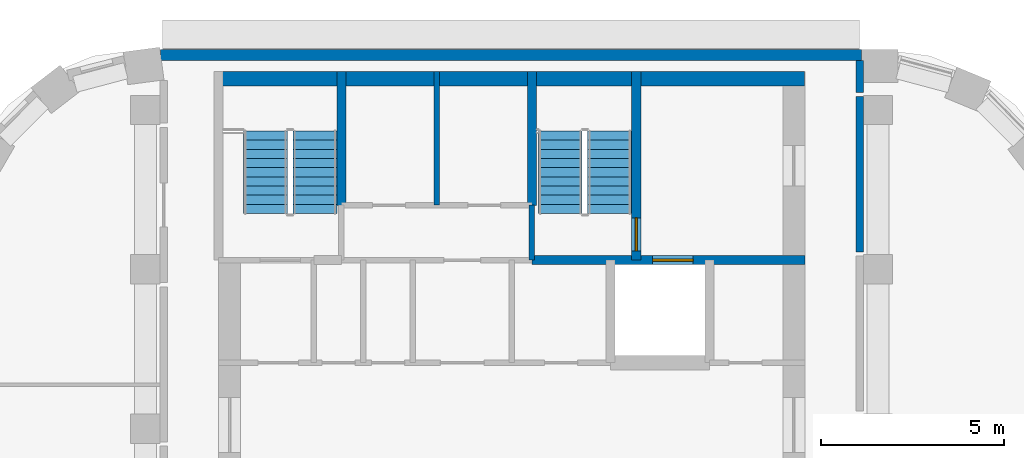
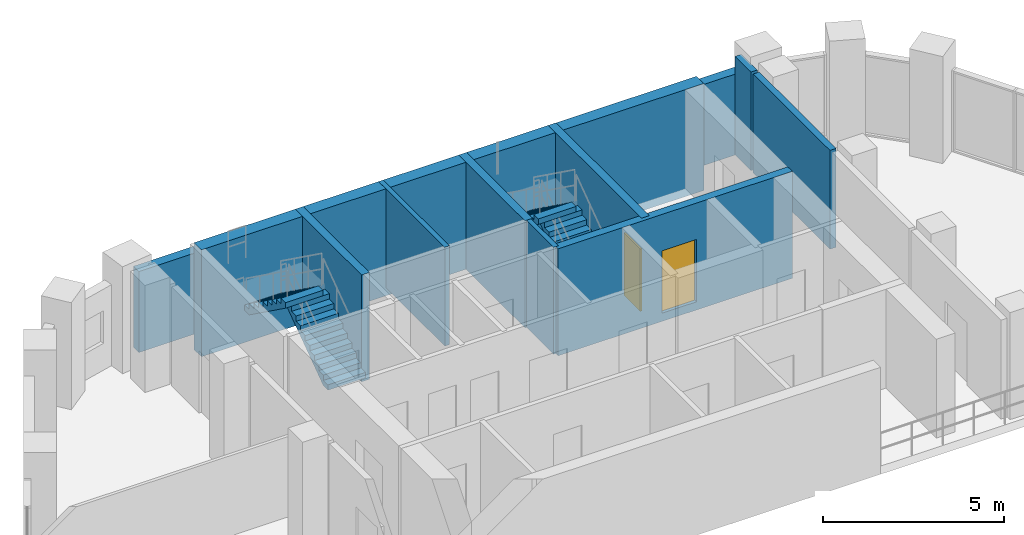
# One storey, part 11 of 13: 10 walls, 4 stair flights, 2 doors, 2 openings, 2 elements without a shape of their own.
"""IFC4 building model written with IfcOpenShell, lengths in metres."""

from ifc_helpers import new_model, si_unit, direction, frame, frame_2d, origin, place, context, subcontext, project, spatial, polyline, rectangle, outline, extrude, material, layer, layer_set, type_object, element, fill, aggregate, save


model = new_model("IFC4")

# Units and contexts
model_context = context("Model", 3, precision=1e-05, world=origin(), true_north=direction((0.0, 1.0)))
body_context = subcontext(model_context, "Body", "Model", "MODEL_VIEW")
ifc_project = project(units=[si_unit("LENGTHUNIT", "METRE"), si_unit("AREAUNIT", "SQUARE_METRE"), si_unit("VOLUMEUNIT", "CUBIC_METRE"), si_unit("PLANEANGLEUNIT", "RADIAN"), si_unit("MASSUNIT", "GRAM", prefix="KILO")], contexts=[model_context])

# Site, building, storey
site_placement = place(None, origin())
site = spatial("IfcSite", under=ifc_project, at=site_placement, CompositionType="ELEMENT")
building_placement = place(site_placement, origin())
building = spatial("IfcBuilding", under=site, at=building_placement, Name="Nakaniwa Court", CompositionType="ELEMENT")
storey_placement = place(building_placement, frame((0.0, 0.0, 286.800048828125)))
storey = spatial("IfcBuildingStorey", under=building, at=storey_placement, Name="C05", CompositionType="ELEMENT", Elevation=286.800048828125)

# Walls
ifc_material_1 = material(Name="Acoustic double stud partition")
ifc_layer_1 = layer(ifc_material_1, 0.199951171875)
ifc_layer_set_1 = layer_set([ifc_layer_1], Name="Acoustic double stud partition")
wall_type_1 = type_object("IfcWallType", Name="Acoustic double stud partition 200", PredefinedType="PARTITIONING", material=ifc_layer_set_1)
wall_1_placement = place(storey_placement, frame((89.5, 97.126953125, 0.0), z_axis=(0.0, 0.0, 1.0), x_axis=(0.0, 1.0, 0.0)))
element("IfcWall", 1, at=wall_1_placement, inside=storey, type_object=wall_type_1, Name="Partition PW-061", PredefinedType="PARTITIONING", context=body_context, shape_type="SweptSolid", body=[
    extrude(rectangle(XDim=4.236083984375, YDim=0.199951171875, at=frame_2d((2.1181640625, 0.0))), origin(), (0.0, 0.0, 1.0), 3.324951171875),
])
wall_2_placement = place(storey_placement, frame((89.5, 101.47705078125, 0.0), z_axis=(0.0, 0.0, 1.0), x_axis=(0.0, 1.0, 0.0)))
element("IfcWall", 2, at=wall_2_placement, inside=storey, type_object=wall_type_1, Name="Partition PW-062", PredefinedType="PARTITIONING", context=body_context, shape_type="SweptSolid", body=[
    extrude(rectangle(XDim=0.873046875, YDim=0.199951171875, at=frame_2d((0.4365234375, 0.0))), origin(), (0.0, 0.0, 1.0), 3.324951171875),
])
ifc_material_2 = material(Name="Charcoal ceramic cladding")
ifc_layer_2 = layer(ifc_material_2, 0.02, Name="Ceramic cladding")
ifc_material_3 = material(Name="Ventilated air cavity")
ifc_layer_3 = layer(ifc_material_3, 0.04, ventilated=True, Name="Ventilated cavity")
ifc_material_4 = material(Name="Mineral wool insulation")
ifc_layer_4 = layer(ifc_material_4, 0.1, Name="Insulation")
ifc_material_5 = material(Name="Cement bonded sheathing board")
ifc_layer_5 = layer(ifc_material_5, 0.012, Name="Sheathing")
ifc_material_6 = material(Name="Cold-formed galvanised stud frame with mineral wool infill")
ifc_layer_6 = layer(ifc_material_6, 0.1, Name="Stud frame")
ifc_material_7 = material(Name="Fire-rated gypsum plasterboard lining")
ifc_layer_7 = layer(ifc_material_7, 0.028, Name="Lining")
ifc_layer_set_2 = layer_set([ifc_layer_2, ifc_layer_3, ifc_layer_4, ifc_layer_5, ifc_layer_6, ifc_layer_7], Name="Charcoal ceramic faced external wall system")
wall_type_2 = type_object("IfcWallType", Name="Black ceramic faced external wall 300", PredefinedType="SOLIDWALL", material=ifc_layer_set_2)
wall_3_placement = place(storey_placement, frame((89.54931640625, 102.5, 0.0), z_axis=(0.0, 0.0, 1.0), x_axis=(-1.0, 0.0, 0.0)))
element("IfcWall", 3, at=wall_3_placement, inside=storey, type_object=wall_type_2, Name="C05 external wall 23", PredefinedType="SOLIDWALL", context=body_context, shape_type="SweptSolid", body=[
    extrude(rectangle(XDim=19.1337890625, YDim=0.300048828125, at=frame_2d((9.56689453125, 0.0))), origin(), (0.0, 0.0, 1.0), 2.724853515625),
])
ifc_material_8 = material(Name="Blockwork partition", Category="masonry")
ifc_layer_8 = layer(ifc_material_8, 0.14990234375)
ifc_layer_set_3 = layer_set([ifc_layer_8], Name="Blockwork partition")
wall_type_3 = type_object("IfcWallType", Name="Blockwork partition 150", PredefinedType="PARTITIONING", material=ifc_layer_set_3)
wall_4_placement = place(storey_placement, frame((77.949951171875, 98.39990234375, 0.0), z_axis=(0.0, 0.0, 1.0), x_axis=(0.0, 1.0, 0.0)))
element("IfcWall", 4, at=wall_4_placement, inside=storey, type_object=wall_type_3, Name="Partition PW-027", PredefinedType="PARTITIONING", context=body_context, shape_type="SweptSolid", body=[
    extrude(rectangle(XDim=3.650146484375, YDim=0.14990234375, at=frame_2d((1.8251953125, 0.0))), origin(), (0.0, 0.0, 1.0), 3.324951171875),
])
ifc_material_9 = material(Name="Concrete C80/100", Category="concrete")
ifc_layer_9 = layer(ifc_material_9, 0.14990234375)
ifc_layer_set_4 = layer_set([ifc_layer_9], Name="Concrete C80/100")
wall_type_4 = type_object("IfcWallType", Name="Concrete core wall 150 C80", PredefinedType="SHEAR", material=ifc_layer_set_4)
wall_5_placement = place(storey_placement, frame((80.550048828125, 96.89990234375, -0.275146484375), z_axis=(0.0, 0.0, 1.0), x_axis=(0.0, 1.0, 0.0)))
element("IfcWall", 5, at=wall_5_placement, inside=storey, type_object=wall_type_4, Name="Core wall SW-24", PredefinedType="SHEAR", context=body_context, shape_type="SweptSolid", body=[
    extrude(rectangle(XDim=1.503173828125, YDim=0.14990234375, at=frame_2d((0.75146484375, 0.0))), origin(), (0.0, 0.0, 1.0), 3.60009765625),
])
ifc_layer_10 = layer(ifc_material_9, 0.39990234375)
ifc_layer_set_5 = layer_set([ifc_layer_10], Name="Concrete C80/100")
wall_type_5 = type_object("IfcWallType", Name="Concrete core wall 400 C80", PredefinedType="SHEAR", material=ifc_layer_set_5)
wall_6_placement = place(storey_placement, frame((72.00390625, 101.85009765625, -0.275146484375), z_axis=(0.0, 0.0, 1.0), x_axis=(1.0, 0.0, 0.0)))
element("IfcWall", 6, at=wall_6_placement, inside=storey, type_object=wall_type_5, Name="Core wall SW-76", PredefinedType="SHEAR", context=body_context, shape_type="SweptSolid", body=[
    extrude(rectangle(XDim=15.9921875, YDim=0.39990234375, at=frame_2d((7.99609375, 0.0))), origin(), (0.0, 0.0, 1.0), 3.60009765625),
])

# Wall, opening, door
ifc_layer_11 = layer(ifc_material_9, 0.25)
ifc_layer_set_6 = layer_set([ifc_layer_11], Name="Concrete C80/100")
wall_type_6 = type_object("IfcWallType", Name="Concrete shaft wall 250 C80", PredefinedType="SHEAR", material=ifc_layer_set_6)
wall_7_placement = place(storey_placement, frame((80.547119140625, 96.89990234375, -0.275146484375), z_axis=(0.0, 0.0, 1.0), x_axis=(1.0, 0.0, 0.0)))
wall_7 = element("IfcWall", 7, at=wall_7_placement, inside=storey, type_object=wall_type_6, Name="Core wall SW-15", PredefinedType="SHEAR", context=body_context, shape_type="SweptSolid", body=[
    extrude(rectangle(XDim=7.452880859375, YDim=0.25, at=frame_2d((3.7265625, 0.0))), origin(), (0.0, 0.0, 1.0), 3.60009765625),
])
opening_1_placement = place(wall_7_placement, frame((3.302001953125, 0.0, 0.27490234375)))
opening_1 = element("IfcOpeningElement", 8, at=opening_1_placement, cuts=wall_7, Name="Opening LD01", PredefinedType="OPENING", context=body_context, shape_type="SweptSolid", body=[
    extrude(rectangle(XDim=1.10009765625, YDim=2.10009765625, at=frame_2d((0.550048828125, 1.050048828125))), frame((0.0, 0.135009765625, 0.0), z_axis=(0.0, -1.0, 0.0), x_axis=(1.0, 0.0, 0.0)), (0.0, 0.0, 1.0), 0.27001953125),
])
ifc_material_10 = material(Name="Stainless steel sliding lift landing door", Category="steel")
door_type_1 = type_object("IfcDoorType", Name="Lift landing door 1100", OperationType="NOTDEFINED", PredefinedType="DOOR", material=ifc_material_10)
door_1_placement = place(opening_1_placement, origin())
door_1 = element("IfcDoor", 9, at=door_1_placement, inside=storey, type_object=door_type_1, Name="Lift landing door LD01 C05-001", OperationType="SLIDING_TO_LEFT", OverallHeight=2.10009765625, OverallWidth=1.10009765625, PredefinedType="DOOR", context=body_context, shape_type="SweptSolid", body=[
    extrude(rectangle(XDim=1.10009765625, YDim=2.10009765625, at=frame_2d((0.550048828125, 1.050048828125))), frame((0.0, 0.02490234375, 0.0), z_axis=(0.0, -1.0, 0.0), x_axis=(1.0, 0.0, 0.0)), (0.0, 0.0, 1.0), 0.050048828125),
])
fill(opening_1, door_1)

# Wall
wall_8_placement = place(storey_placement, frame((75.35009765625, 98.39697265625, -0.275146484375), z_axis=(0.0, 0.0, 1.0), x_axis=(0.0, 1.0, 0.0)))
element("IfcWall", 10, at=wall_8_placement, inside=storey, type_object=wall_type_6, Name="Core wall SW-21", PredefinedType="SHEAR", context=body_context, shape_type="SweptSolid", body=[
    extrude(rectangle(XDim=3.653076171875, YDim=0.25, at=frame_2d((1.82666015625, 0.0))), origin(), (0.0, 0.0, 1.0), 3.60009765625),
])

# Wall, opening, door
wall_9_placement = place(storey_placement, frame((83.39990234375, 102.050048828125, -0.275146484375), z_axis=(0.0, 0.0, 1.0), x_axis=(0.0, -1.0, 0.0)))
wall_9 = element("IfcWall", 11, at=wall_9_placement, inside=storey, type_object=wall_type_6, Name="Core wall SW-23", PredefinedType="SHEAR", context=body_context, shape_type="SweptSolid", body=[
    extrude(rectangle(XDim=5.150146484375, YDim=0.25, at=frame_2d((2.5751953125, 0.0))), origin(), (0.0, 0.0, 1.0), 3.60009765625),
])
opening_2_placement = place(wall_9_placement, frame((4.0, 0.0, 0.27490234375)))
opening_2 = element("IfcOpeningElement", 12, at=opening_2_placement, cuts=wall_9, Name="Opening D-11-01", PredefinedType="OPENING", context=body_context, shape_type="SweptSolid", body=[
    extrude(rectangle(XDim=0.89990234375, YDim=2.10009765625, at=frame_2d((0.449951171875, 1.050048828125))), frame((0.0, 0.135009765625, 0.0), z_axis=(0.0, -1.0, 0.0), x_axis=(1.0, 0.0, 0.0)), (0.0, 0.0, 1.0), 0.27001953125),
])
ifc_material_11 = material(Name="Fire rated steel door set", Category="steel")
door_type_2 = type_object("IfcDoorType", Name="Stair door 900", OperationType="NOTDEFINED", PredefinedType="DOOR", material=ifc_material_11)
door_2_placement = place(opening_2_placement, origin())
door_2 = element("IfcDoor", 13, at=door_2_placement, inside=storey, type_object=door_type_2, Name="Door D-11-01 C05-015", OperationType="SINGLE_SWING_LEFT", OverallHeight=2.10009765625, OverallWidth=0.89990234375, PredefinedType="DOOR", context=body_context, shape_type="SweptSolid", body=[
    extrude(rectangle(XDim=0.89990234375, YDim=2.10009765625, at=frame_2d((0.449951171875, 1.050048828125))), frame((0.0, 0.02490234375, 0.0), z_axis=(0.0, -1.0, 0.0), x_axis=(1.0, 0.0, 0.0)), (0.0, 0.0, 1.0), 0.050048828125),
])
fill(opening_2, door_2)

# Wall
wall_10_placement = place(storey_placement, frame((80.550048828125, 98.39697265625, -0.275146484375), z_axis=(0.0, 0.0, 1.0), x_axis=(0.0, 1.0, 0.0)))
element("IfcWall", 14, at=wall_10_placement, inside=storey, type_object=wall_type_6, Name="Core wall SW-25", PredefinedType="SHEAR", context=body_context, shape_type="SweptSolid", body=[
    extrude(rectangle(XDim=3.653076171875, YDim=0.25, at=frame_2d((1.82666015625, 0.0))), origin(), (0.0, 0.0, 1.0), 3.60009765625),
])

# Stair, stair flights
stair_type = type_object("IfcStairType", Name="Dog leg stair 1200 wide 20 risers", PredefinedType="HALF_TURN_STAIR", material=ifc_material_9)
stair_1_placement = place(storey_placement, origin())
stair_1 = element("IfcStair", 15, at=stair_1_placement, inside=storey, type_object=stair_type, Name="C05 Stair ST1", PredefinedType="HALF_TURN_STAIR")
stair_flight_type = type_object("IfcStairFlightType", Name="Stair flight 1200 wide 10 risers", PredefinedType="STRAIGHT", material=ifc_material_9)
stair_flight_1_placement = place(storey_placement, frame((74.625, 98.175048828125, 0.0), z_axis=(0.0, 0.0, 1.0), x_axis=(0.0, 1.0, 0.0)))
stair_flight_1 = element("IfcStairFlight", 16, at=stair_flight_1_placement, type_object=stair_flight_type, Name="ST1 flight 1", NumberOfRisers=10, NumberOfTreads=9, PredefinedType="STRAIGHT", RiserHeight=0.18, TreadLength=0.25, context=body_context, shape_type="SweptSolid", body=[
    extrude(outline(polyline([(0.0, 0.0), (0.0, 0.025634765625), (0.0, 0.051513671875), (0.0, 0.0771484375), (0.0, 0.102783203125), (0.0, 0.128662109375), (0.0, 0.154296875), (0.0, 0.179931640625), (0.25, 0.179931640625), (0.25, 0.360107421875), (0.5, 0.360107421875), (0.5, 0.5400390625), (0.75, 0.5400390625), (0.75, 0.719970703125), (1.0, 0.719970703125), (1.0, 0.89990234375), (1.25, 0.89990234375), (1.25, 1.080078125), (1.5, 1.080078125), (1.5, 1.260009765625), (1.75, 1.260009765625), (1.75, 1.43994140625), (2.0, 1.43994140625), (2.0, 1.6201171875), (2.25, 1.6201171875), (2.25, 1.800048828125), (2.25, 1.747802734375), (2.25, 1.69580078125), (2.25, 1.643798828125), (2.25, 1.591552734375), (2.25, 1.53955078125), (2.25, 1.4873046875), (2.25, 1.435302734375), (0.256591796875, 0.0), (0.0, 0.0)])), frame((0.0, 0.60009765625, 0.0), z_axis=(0.0, -1.0, 0.0), x_axis=(1.0, 0.0, 0.0)), (0.0, 0.0, 1.0), 1.199951171875),
])
stair_flight_2_placement = place(storey_placement, frame((73.27490234375, 100.425048828125, 1.800048828125), z_axis=(0.0, 0.0, 1.0), x_axis=(0.0, -1.0, 0.0)))
stair_flight_2 = element("IfcStairFlight", 17, at=stair_flight_2_placement, type_object=stair_flight_type, Name="ST1 flight 2", NumberOfRisers=10, NumberOfTreads=9, PredefinedType="STRAIGHT", RiserHeight=0.18, TreadLength=0.25, context=body_context, shape_type="SweptSolid", body=[
    extrude(outline(polyline([(0.0, 0.0), (0.0, 0.025634765625), (0.0, 0.051513671875), (0.0, 0.0771484375), (0.0, 0.102783203125), (0.0, 0.128662109375), (0.0, 0.154296875), (0.0, 0.179931640625), (0.25, 0.179931640625), (0.25, 0.360107421875), (0.5, 0.360107421875), (0.5, 0.5400390625), (0.75, 0.5400390625), (0.75, 0.719970703125), (1.0, 0.719970703125), (1.0, 0.89990234375), (1.25, 0.89990234375), (1.25, 1.080078125), (1.5, 1.080078125), (1.5, 1.260009765625), (1.75, 1.260009765625), (1.75, 1.43994140625), (2.0, 1.43994140625), (2.0, 1.6201171875), (2.25, 1.6201171875), (2.25, 1.800048828125), (2.25, 1.747802734375), (2.25, 1.69580078125), (2.25, 1.643798828125), (2.25, 1.591552734375), (2.25, 1.53955078125), (2.25, 1.4873046875), (2.25, 1.435302734375), (0.256591796875, 0.0), (0.0, 0.0)])), frame((0.0, 0.60009765625, 0.0), z_axis=(0.0, -1.0, 0.0), x_axis=(1.0, 0.0, 0.0)), (0.0, 0.0, 1.0), 1.199951171875),
])
aggregate(stair_1, [stair_flight_1, stair_flight_2])

stair_2_placement = place(storey_placement, origin())
stair_2 = element("IfcStair", 18, at=stair_2_placement, inside=storey, type_object=stair_type, Name="C05 Stair ST2", PredefinedType="HALF_TURN_STAIR")
stair_flight_3_placement = place(storey_placement, frame((82.675048828125, 98.175048828125, 0.0), z_axis=(0.0, 0.0, 1.0), x_axis=(0.0, 1.0, 0.0)))
stair_flight_3 = element("IfcStairFlight", 19, at=stair_flight_3_placement, type_object=stair_flight_type, Name="ST2 flight 1", NumberOfRisers=10, NumberOfTreads=9, PredefinedType="STRAIGHT", RiserHeight=0.18, TreadLength=0.25, context=body_context, shape_type="SweptSolid", body=[
    extrude(outline(polyline([(0.0, 0.0), (0.0, 0.025634765625), (0.0, 0.051513671875), (0.0, 0.0771484375), (0.0, 0.102783203125), (0.0, 0.128662109375), (0.0, 0.154296875), (0.0, 0.179931640625), (0.25, 0.179931640625), (0.25, 0.360107421875), (0.5, 0.360107421875), (0.5, 0.5400390625), (0.75, 0.5400390625), (0.75, 0.719970703125), (1.0, 0.719970703125), (1.0, 0.89990234375), (1.25, 0.89990234375), (1.25, 1.080078125), (1.5, 1.080078125), (1.5, 1.260009765625), (1.75, 1.260009765625), (1.75, 1.43994140625), (2.0, 1.43994140625), (2.0, 1.6201171875), (2.25, 1.6201171875), (2.25, 1.800048828125), (2.25, 1.747802734375), (2.25, 1.69580078125), (2.25, 1.643798828125), (2.25, 1.591552734375), (2.25, 1.53955078125), (2.25, 1.4873046875), (2.25, 1.435302734375), (0.256591796875, 0.0), (0.0, 0.0)])), frame((0.0, 0.60009765625, 0.0), z_axis=(0.0, -1.0, 0.0), x_axis=(1.0, 0.0, 0.0)), (0.0, 0.0, 1.0), 1.199951171875),
])
stair_flight_4_placement = place(storey_placement, frame((81.324951171875, 100.425048828125, 1.800048828125), z_axis=(0.0, 0.0, 1.0), x_axis=(0.0, -1.0, 0.0)))
stair_flight_4 = element("IfcStairFlight", 20, at=stair_flight_4_placement, type_object=stair_flight_type, Name="ST2 flight 2", NumberOfRisers=10, NumberOfTreads=9, PredefinedType="STRAIGHT", RiserHeight=0.18, TreadLength=0.25, context=body_context, shape_type="SweptSolid", body=[
    extrude(outline(polyline([(0.0, 0.0), (0.0, 0.025634765625), (0.0, 0.051513671875), (0.0, 0.0771484375), (0.0, 0.102783203125), (0.0, 0.128662109375), (0.0, 0.154296875), (0.0, 0.179931640625), (0.25, 0.179931640625), (0.25, 0.360107421875), (0.5, 0.360107421875), (0.5, 0.5400390625), (0.75, 0.5400390625), (0.75, 0.719970703125), (1.0, 0.719970703125), (1.0, 0.89990234375), (1.25, 0.89990234375), (1.25, 1.080078125), (1.5, 1.080078125), (1.5, 1.260009765625), (1.75, 1.260009765625), (1.75, 1.43994140625), (2.0, 1.43994140625), (2.0, 1.6201171875), (2.25, 1.6201171875), (2.25, 1.800048828125), (2.25, 1.747802734375), (2.25, 1.69580078125), (2.25, 1.643798828125), (2.25, 1.591552734375), (2.25, 1.53955078125), (2.25, 1.4873046875), (2.25, 1.435302734375), (0.256591796875, 0.0), (0.0, 0.0)])), frame((0.0, 0.60009765625, 0.0), z_axis=(0.0, -1.0, 0.0), x_axis=(1.0, 0.0, 0.0)), (0.0, 0.0, 1.0), 1.199951171875),
])
aggregate(stair_2, [stair_flight_3, stair_flight_4])

save(model, "model.ifc")
